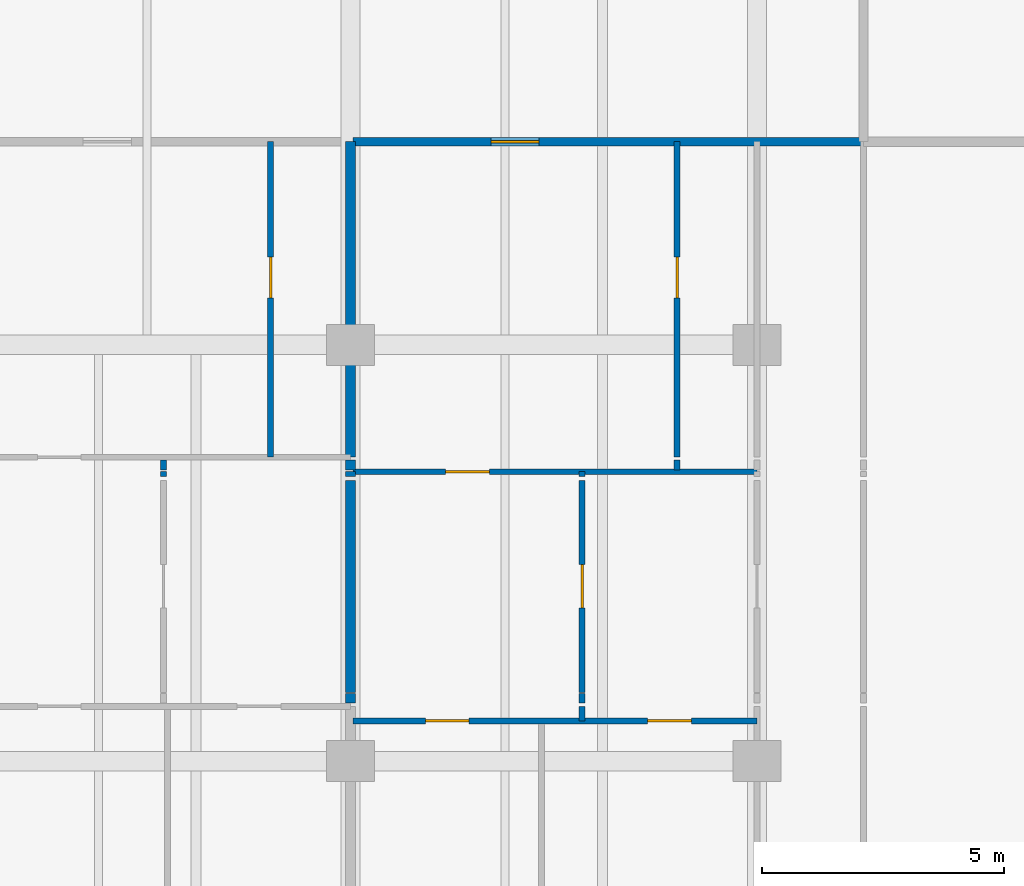
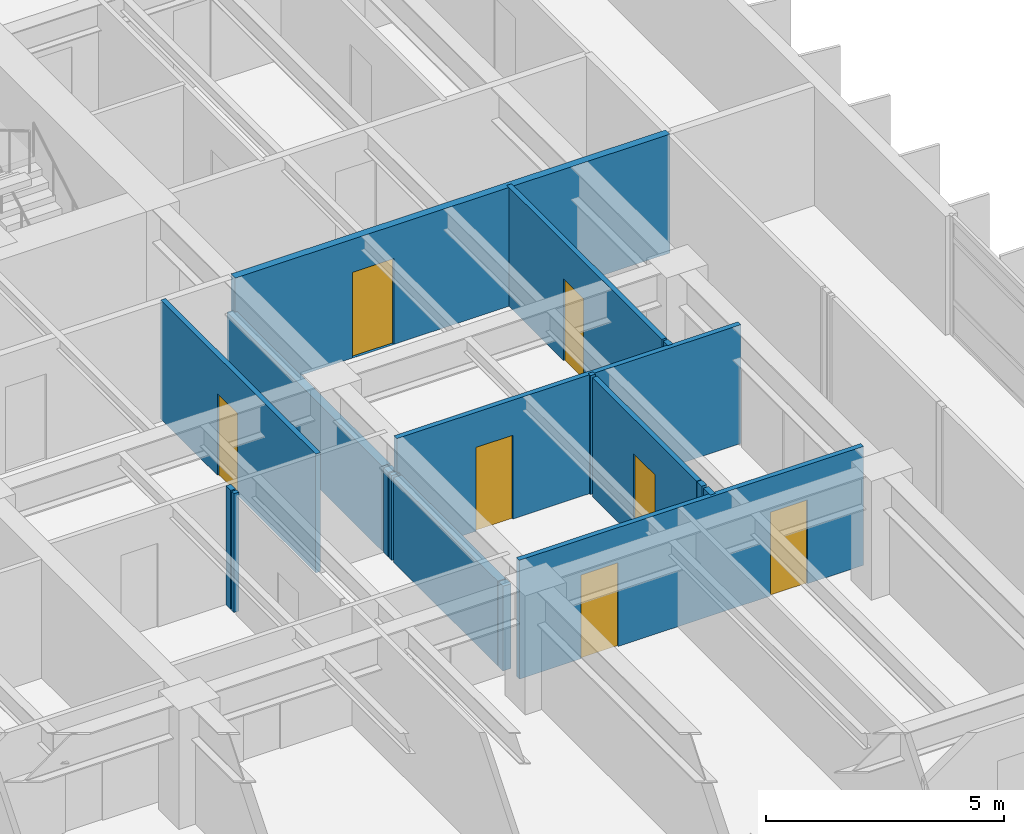
# One storey, part 11 of 19: 17 walls, 7 doors, 7 openings.
"""IFC4 building model written with IfcOpenShell, lengths in metres."""

import ifcopenshell
import ifcopenshell.guid

model = None  # the IFC model being written
_history = None  # IfcOwnerHistory: only IFC2X3 demands one
_inside = {}  # id of a spatial element -> (the spatial element, [elements in it])
_under = {}  # id of a project, library or spatial element -> (it, [spatial elements below it])
_declared = {}  # id of a project -> (the project, [libraries it declares])
_typed = {}  # id of a type object -> (the type object, [elements of that type])
_made_of = {}  # id of a material, layer set ... -> (it, [elements and type objects made of it])


def new_model(schema):
    """Start an empty IFC model of exactly this schema.

    Asked for "IFC4X3", IfcOpenShell would pick the latest addendum, in which some entities
    have other attributes; the version numbers below select the first issue.
    IFC2X3 requires an IfcOwnerHistory on every rooted entity: one is made here for all.
    """
    global model, _history
    if schema == "IFC4X3":
        model = ifcopenshell.file(schema_version=(4, 3, 0, 0))
    else:
        model = ifcopenshell.file(schema=schema)
    _inside.clear()
    _under.clear()
    _declared.clear()
    _typed.clear()
    _made_of.clear()
    _history = None
    if model.schema == "IFC2X3":
        org = make("IfcOrganization", Name="unknown")
        user = make(
            "IfcPersonAndOrganization",
            ThePerson=make("IfcPerson", FamilyName="unknown"),
            TheOrganization=org,
        )
        app = make(
            "IfcApplication",
            ApplicationDeveloper=org,
            Version="unknown",
            ApplicationFullName="unknown",
            ApplicationIdentifier="unknown",
        )
        _history = make(
            "IfcOwnerHistory",
            OwningUser=user,
            OwningApplication=app,
            ChangeAction="ADDED",
            CreationDate=0,
        )
    return model


def make(cls, **values):
    """One entity of the class cls with the attributes given. An attribute that is None is left unset."""
    return model.create_entity(
        cls, **{name: value for name, value in values.items() if value is not None}
    )


def rooted(cls, **values):
    """An entity with a GlobalId (a new one), such as an element, a storey or a relation."""
    return make(cls, GlobalId=ifcopenshell.guid.new(), OwnerHistory=_history, **values)


def si_unit(unit_type, name, prefix=None):
    """IfcSIUnit, for example si_unit("LENGTHUNIT", "METRE", prefix="MILLI")."""
    return make("IfcSIUnit", UnitType=unit_type, Prefix=prefix, Name=name)


def assignment(units):
    """IfcUnitAssignment: the units of a project."""
    return None if units is None else make("IfcUnitAssignment", Units=units)


def point(xyz):
    """IfcCartesianPoint."""
    return None if xyz is None else make("IfcCartesianPoint", Coordinates=xyz)


def direction(xyz):
    """IfcDirection."""
    return None if xyz is None else make("IfcDirection", DirectionRatios=xyz)


def frame(location, z_axis=None, x_axis=None):
    """IfcAxis2Placement3D, a coordinate frame: its origin and axes. An axis left out is left unset."""
    return make(
        "IfcAxis2Placement3D",
        Location=point(location),
        Axis=direction(z_axis),
        RefDirection=direction(x_axis),
    )


def frame_2d(location, x_axis=None):
    """IfcAxis2Placement2D, a coordinate frame in the plane: its origin and x axis."""
    return make(
        "IfcAxis2Placement2D", Location=point(location), RefDirection=direction(x_axis)
    )


def origin():
    """The frame at (0, 0, 0) with its axes left unset."""
    return frame((0.0, 0.0, 0.0))


def place(relative_to, where):
    """IfcLocalPlacement: puts the frame where relative to a parent placement (None: the world)."""
    return make(
        "IfcLocalPlacement", PlacementRelTo=relative_to, RelativePlacement=where
    )


def context(
    kind, dimensions, precision=None, world=None, true_north=None, identifier=None
):
    """IfcGeometricRepresentationContext, for example the 3D "Model" context."""
    return make(
        "IfcGeometricRepresentationContext",
        ContextIdentifier=identifier,
        ContextType=kind,
        CoordinateSpaceDimension=dimensions,
        Precision=precision,
        WorldCoordinateSystem=world,
        TrueNorth=true_north,
    )


def subcontext(parent, identifier, kind, view, scale=None):
    """IfcGeometricRepresentationSubContext, for example "Body" below "Model"."""
    return make(
        "IfcGeometricRepresentationSubContext",
        ContextIdentifier=identifier,
        ContextType=kind,
        ParentContext=parent,
        TargetScale=scale,
        TargetView=view,
    )


def project(units=None, contexts=None):
    """IfcProject with its units and contexts."""
    return rooted(
        "IfcProject",
        Name="project",
        RepresentationContexts=contexts,
        UnitsInContext=assignment(units),
    )


def spatial(cls, under=None, at=None, **own):
    """A site, building, storey or space (cls), placed at a placement, below another one or the project."""
    s = rooted(cls, ObjectPlacement=at, **own)
    if under is not None:
        _under.setdefault(under.id(), (under, []))[1].append(s)
    return s


def profile(cls, at=None, kind="AREA", **sizes):
    """A parametric profile (cls). Its sizes go by their IFC names, for example OverallWidth=200.0."""
    return make(cls, ProfileType=kind, Position=at, **sizes)


def rectangle(**sizes):
    """IfcRectangleProfileDef."""
    return profile("IfcRectangleProfileDef", **sizes)


def extrude(swept, where, along, depth):
    """IfcExtrudedAreaSolid: the profile swept, set in the frame where, extruded along a direction by depth."""
    return make(
        "IfcExtrudedAreaSolid",
        SweptArea=swept,
        Position=where,
        ExtrudedDirection=direction(along),
        Depth=depth,
    )


def shape(context_of_items, identifier, shape_type, items):
    """IfcShapeRepresentation: the items that make up one representation, for example the "Body"."""
    return make(
        "IfcShapeRepresentation",
        ContextOfItems=context_of_items,
        RepresentationIdentifier=identifier,
        RepresentationType=shape_type,
        Items=items,
    )


def material(Name=None, Category=None):
    """IfcMaterial."""
    return make("IfcMaterial", Name=Name, Category=Category)


def layer(
    of_material, thickness, ventilated=None, Name=None, Category=None, Priority=None
):
    """IfcMaterialLayer: one layer of a wall or slab, of a material (None: an air gap)."""
    return make(
        "IfcMaterialLayer",
        Material=of_material,
        LayerThickness=thickness,
        IsVentilated=ventilated,
        Name=Name,
        Category=Category,
        Priority=Priority,
    )


def layer_set(layers, Name=None):
    """IfcMaterialLayerSet."""
    return make("IfcMaterialLayerSet", MaterialLayers=layers, LayerSetName=Name)


def made_of(thing, what):
    """Note that an element or type object is made of a material, layer set ...; save() writes the relation."""
    if what is not None:
        _made_of.setdefault(what.id(), (what, []))[1].append(thing)
    return thing


def type_object(cls, material=None, **own):
    """A type object (cls), such as IfcWallType, which elements share."""
    return made_of(rooted(cls, **own), material)


def element(
    cls,
    number,
    at=None,
    inside=None,
    cuts=None,
    type_object=None,
    material=None,
    context=None,
    identifier="Body",
    shape_type=None,
    held_by="IfcProductDefinitionShape",
    body=None,
    shapes=None,
    **own,
):
    """One element of the class cls, such as IfcWall. Its Tag is "e" and its number.

    at: its placement. inside: the storey or other place that contains it. cuts: it is an
    opening in that element (IfcRelVoidsElement). A single representation is given by context,
    identifier, shape_type and body (its items); several are given by shapes. held_by: the class
    of the entity that holds the representations. save() writes the other relations.
    """
    e = rooted(cls, Tag="e%d" % number, ObjectPlacement=at, **own)
    if body is not None:
        shapes = [shape(context, identifier, shape_type, body)]
    if shapes is not None:
        e.Representation = make(held_by, Representations=shapes)
    if inside is not None:
        _inside.setdefault(inside.id(), (inside, []))[1].append(e)
    if cuts is not None:
        rooted(
            "IfcRelVoidsElement", RelatingBuildingElement=cuts, RelatedOpeningElement=e
        )
    if type_object is not None:
        _typed.setdefault(type_object.id(), (type_object, []))[1].append(e)
    return made_of(e, material)


def fill(opening, filler):
    """IfcRelFillsElement: the door or window that sits in an opening."""
    return rooted(
        "IfcRelFillsElement",
        RelatingOpeningElement=opening,
        RelatedBuildingElement=filler,
    )


def aggregate(whole, parts):
    """IfcRelAggregates: a whole, such as a stair, and the parts it consists of."""
    return rooted("IfcRelAggregates", RelatingObject=whole, RelatedObjects=parts)


def save(model, path):
    """Write the relations noted so far, then the file.

    IfcRelAggregates (storeys below a building ...), IfcRelContainedInSpatialStructure (elements
    in a storey), IfcRelDefinesByType, IfcRelAssociatesMaterial and IfcRelDeclares: one each for
    every whole, place, type object, material and project.
    """
    for whole, parts in _under.values():
        aggregate(whole, parts)
    for where, things in _inside.values():
        rooted(
            "IfcRelContainedInSpatialStructure",
            RelatedElements=things,
            RelatingStructure=where,
        )
    for kind, things in _typed.values():
        rooted("IfcRelDefinesByType", RelatedObjects=things, RelatingType=kind)
    for what, things in _made_of.values():
        rooted("IfcRelAssociatesMaterial", RelatedObjects=things, RelatingMaterial=what)
    for by, libraries in _declared.values():
        rooted("IfcRelDeclares", RelatingContext=by, RelatedDefinitions=libraries)
    model.write(path)


model = new_model("IFC4")

# Units and contexts
model_context = context("Model", 3, precision=1e-05, world=origin(), true_north=direction((0.0, 1.0)))
body_context = subcontext(model_context, "Body", "Model", "MODEL_VIEW")
ifc_project = project(units=[si_unit("LENGTHUNIT", "METRE"), si_unit("AREAUNIT", "SQUARE_METRE"), si_unit("VOLUMEUNIT", "CUBIC_METRE"), si_unit("PLANEANGLEUNIT", "RADIAN"), si_unit("MASSUNIT", "GRAM", prefix="KILO")], contexts=[model_context])

# Site, building, storey
site_placement = place(None, origin())
site = spatial("IfcSite", under=ifc_project, at=site_placement, CompositionType="ELEMENT")
building_placement = place(site_placement, origin())
building = spatial("IfcBuilding", under=site, at=building_placement, Name="Caelmar Bay Residences", CompositionType="ELEMENT")
storey_placement = place(building_placement, frame((0.0, 0.0, 115.800048828125)))
storey = spatial("IfcBuildingStorey", under=building, at=storey_placement, Name="L31", CompositionType="ELEMENT", Elevation=115.800048828125)

# Wall, opening, door
ifc_material_1 = material(Name="Double-stud acoustic fire-rated gypsum partition 180 mm")
ifc_layer_1 = layer(ifc_material_1, 0.179931640625)
ifc_layer_set_1 = layer_set([ifc_layer_1], Name="Double-stud acoustic fire-rated gypsum partition 180 mm")
wall_type_1 = type_object("IfcWallType", Name="W-COR-200", PredefinedType="PARTITIONING", material=ifc_layer_set_1)
wall_1_placement = place(storey_placement, frame((59.550048828125, 33.60009765625, 0.0), z_axis=(0.0, 0.0, 1.0), x_axis=(1.0, 0.0, 0.0)))
wall_1 = element("IfcWall", 1, at=wall_1_placement, inside=storey, type_object=wall_type_1, Name="L31 Partition Wall H142", PredefinedType="PARTITIONING", context=body_context, shape_type="SweptSolid", body=[
    extrude(rectangle(XDim=10.550048828125, YDim=0.179931640625, at=frame_2d((5.27490234375, 0.0))), origin(), (0.0, 0.0, 1.0), 3.050048828125),
])
opening_1_placement = place(wall_1_placement, frame((2.85009765625, 0.0, 0.0)))
opening_1 = element("IfcOpeningElement", 2, at=opening_1_placement, cuts=wall_1, Name="Opening D-L31-154", PredefinedType="OPENING", context=body_context, shape_type="SweptSolid", body=[
    extrude(rectangle(XDim=1.0, YDim=2.199951171875, at=frame_2d((0.5, 1.10009765625))), frame((0.0, 0.099853515625, 0.0), z_axis=(0.0, -1.0, 0.0), x_axis=(1.0, 0.0, 0.0)), (0.0, 0.0, 1.0), 0.199951171875),
])
ifc_material_2 = material(Name="Fire-rated steel and walnut architectural door assembly", Category="steel")
ifc_layer_2 = layer(ifc_material_2, 0.050048828125)
ifc_layer_set_2 = layer_set([ifc_layer_2], Name="Fire-rated steel and walnut architectural door assembly")
door_type_1 = type_object("IfcDoorType", Name="D-UNIT-1000", OperationType="NOTDEFINED", PredefinedType="DOOR", material=ifc_layer_set_2)
door_1_placement = place(opening_1_placement, origin())
door_1 = element("IfcDoor", 3, at=door_1_placement, inside=storey, type_object=door_type_1, Name="L31 Residence 05 Apartment Hall Door", OperationType="SINGLE_SWING_LEFT", OverallHeight=2.199951171875, OverallWidth=1.0, PredefinedType="DOOR", context=body_context, shape_type="SweptSolid", body=[
    extrude(rectangle(XDim=1.0, YDim=2.199951171875, at=frame_2d((0.5, 1.10009765625))), frame((0.0, 0.02490234375, 0.0), z_axis=(0.0, -1.0, 0.0), x_axis=(1.0, 0.0, 0.0)), (0.0, 0.0, 1.0), 0.050048828125),
])
fill(opening_1, door_1)

# Walls
ifc_material_3 = material(Name="Acoustic metal-stud gypsum partition 120 mm")
ifc_layer_3 = layer(ifc_material_3, 0.1201171875)
ifc_layer_set_3 = layer_set([ifc_layer_3], Name="Acoustic metal-stud gypsum partition 120 mm")
wall_type_2 = type_object("IfcWallType", Name="W-PRT-120", PredefinedType="PARTITIONING", material=ifc_layer_set_3)
wall_2_placement = place(storey_placement, frame((55.635986328125, 26.679931640625, 0.0), z_axis=(0.0, 0.0, 1.0), x_axis=(0.0, 1.0, 0.0)))
element("IfcWall", 4, at=wall_2_placement, inside=storey, type_object=wall_type_2, Name="L31 Partition Wall V081", PredefinedType="PARTITIONING", context=body_context, shape_type="SweptSolid", body=[
    extrude(rectangle(XDim=0.10009765625, YDim=0.1201171875, at=frame_2d((0.050048828125, 0.0))), origin(), (0.0, 0.0, 1.0), 3.050048828125),
])
wall_3_placement = place(storey_placement, frame((55.635986328125, 26.820068359375, 0.0), z_axis=(0.0, 0.0, 1.0), x_axis=(0.0, 1.0, 0.0)))
element("IfcWall", 5, at=wall_3_placement, inside=storey, type_object=wall_type_2, Name="L31 Partition Wall V082", PredefinedType="PARTITIONING", context=body_context, shape_type="SweptSolid", body=[
    extrude(rectangle(XDim=0.199951171875, YDim=0.1201171875, at=frame_2d((0.10009765625, 0.0))), origin(), (0.0, 0.0, 1.0), 3.050048828125),
])

# Wall, opening, door
wall_4_placement = place(storey_placement, frame((57.85009765625, 27.080078125, 0.0), z_axis=(0.0, 0.0, 1.0), x_axis=(0.0, 1.0, 0.0)))
wall_4 = element("IfcWall", 6, at=wall_4_placement, inside=storey, type_object=wall_type_2, Name="L31 Partition Wall V086", PredefinedType="PARTITIONING", context=body_context, shape_type="SweptSolid", body=[
    extrude(rectangle(XDim=6.52001953125, YDim=0.1201171875, at=frame_2d((3.260009765625, 0.0))), origin(), (0.0, 0.0, 1.0), 3.050048828125),
])
opening_2_placement = place(wall_4_placement, frame((3.284912109375, 0.0, 0.0)))
opening_2 = element("IfcOpeningElement", 7, at=opening_2_placement, cuts=wall_4, Name="Opening D-L31-148", PredefinedType="OPENING", context=body_context, shape_type="SweptSolid", body=[
    extrude(rectangle(XDim=0.85009765625, YDim=2.10009765625, at=frame_2d((0.425048828125, 1.050048828125))), frame((0.0, 0.070068359375, 0.0), z_axis=(0.0, -1.0, 0.0), x_axis=(1.0, 0.0, 0.0)), (0.0, 0.0, 1.0), 0.14013671875),
])
ifc_material_4 = material(Name="Solid walnut timber interior door leaf and frame", Category="wood")
ifc_layer_4 = layer(ifc_material_4, 0.050048828125)
ifc_layer_set_4 = layer_set([ifc_layer_4], Name="Solid walnut timber interior door leaf and frame")
door_type_2 = type_object("IfcDoorType", Name="D-BATH-850", OperationType="NOTDEFINED", PredefinedType="DOOR", material=ifc_layer_set_4)
door_2_placement = place(opening_2_placement, origin())
door_2 = element("IfcDoor", 8, at=door_2_placement, inside=storey, type_object=door_type_2, Name="L31 Residence 04 Bathroom Door", OperationType="SINGLE_SWING_LEFT", OverallHeight=2.10009765625, OverallWidth=0.85009765625, PredefinedType="DOOR", context=body_context, shape_type="SweptSolid", body=[
    extrude(rectangle(XDim=0.85009765625, YDim=2.10009765625, at=frame_2d((0.425048828125, 1.050048828125))), frame((0.0, 0.02490234375, 0.0), z_axis=(0.0, -1.0, 0.0), x_axis=(1.0, 0.0, 0.0)), (0.0, 0.0, 1.0), 0.050048828125),
])
fill(opening_2, door_2)

# Walls
wall_5_placement = place(storey_placement, frame((64.285888671875, 21.6298828125, 0.0), z_axis=(0.0, 0.0, 1.0), x_axis=(0.0, 1.0, 0.0)))
element("IfcWall", 9, at=wall_5_placement, inside=storey, type_object=wall_type_2, Name="L31 Partition Wall V097", PredefinedType="PARTITIONING", context=body_context, shape_type="SweptSolid", body=[
    extrude(rectangle(XDim=0.300048828125, YDim=0.1201171875, at=frame_2d((0.14990234375, 0.0))), origin(), (0.0, 0.0, 1.0), 3.050048828125),
])
wall_6_placement = place(storey_placement, frame((64.285888671875, 22.0, 0.0), z_axis=(0.0, 0.0, 1.0), x_axis=(0.0, 1.0, 0.0)))
element("IfcWall", 10, at=wall_6_placement, inside=storey, type_object=wall_type_2, Name="L31 Partition Wall V098", PredefinedType="PARTITIONING", context=body_context, shape_type="SweptSolid", body=[
    extrude(rectangle(XDim=0.199951171875, YDim=0.1201171875, at=frame_2d((0.10009765625, 0.0))), origin(), (0.0, 0.0, 1.0), 3.050048828125),
])

# Wall, opening, door
wall_7_placement = place(storey_placement, frame((64.285888671875, 22.219970703125, 0.0), z_axis=(0.0, 0.0, 1.0), x_axis=(0.0, 1.0, 0.0)))
wall_7 = element("IfcWall", 11, at=wall_7_placement, inside=storey, type_object=wall_type_2, Name="L31 Partition Wall V099", PredefinedType="PARTITIONING", context=body_context, shape_type="SweptSolid", body=[
    extrude(rectangle(XDim=4.380126953125, YDim=0.1201171875, at=frame_2d((2.18994140625, 0.0))), origin(), (0.0, 0.0, 1.0), 3.050048828125),
])
opening_3_placement = place(wall_7_placement, frame((1.739990234375, 0.0, 0.0)))
opening_3 = element("IfcOpeningElement", 12, at=opening_3_placement, cuts=wall_7, Name="Opening D-L31-157", PredefinedType="OPENING", context=body_context, shape_type="SweptSolid", body=[
    extrude(rectangle(XDim=0.89990234375, YDim=2.14990234375, at=frame_2d((0.449951171875, 1.074951171875))), frame((0.0, 0.070068359375, 0.0), z_axis=(0.0, -1.0, 0.0), x_axis=(1.0, 0.0, 0.0)), (0.0, 0.0, 1.0), 0.14013671875),
])
ifc_layer_5 = layer(ifc_material_4, 0.050048828125)
ifc_layer_set_5 = layer_set([ifc_layer_5], Name="Solid walnut timber interior door leaf and frame")
door_type_3 = type_object("IfcDoorType", Name="D-ROOM-900", OperationType="NOTDEFINED", PredefinedType="DOOR", material=ifc_layer_set_5)
door_3_placement = place(opening_3_placement, origin())
door_3 = element("IfcDoor", 13, at=door_3_placement, inside=storey, type_object=door_type_3, Name="L31 Residence 05 Private Meeting Room Door", OperationType="SINGLE_SWING_RIGHT", OverallHeight=2.14990234375, OverallWidth=0.89990234375, PredefinedType="DOOR", context=body_context, shape_type="SweptSolid", body=[
    extrude(rectangle(XDim=0.89990234375, YDim=2.14990234375, at=frame_2d((0.449951171875, 1.074951171875))), frame((0.0, 0.02490234375, 0.0), z_axis=(0.0, -1.0, 0.0), x_axis=(1.0, 0.0, 0.0)), (0.0, 0.0, 1.0), 0.050048828125),
])
fill(opening_3, door_3)

# Walls
wall_8_placement = place(storey_placement, frame((64.285888671875, 26.679931640625, 0.0), z_axis=(0.0, 0.0, 1.0), x_axis=(0.0, 1.0, 0.0)))
element("IfcWall", 14, at=wall_8_placement, inside=storey, type_object=wall_type_2, Name="L31 Partition Wall V100", PredefinedType="PARTITIONING", context=body_context, shape_type="SweptSolid", body=[
    extrude(rectangle(XDim=0.10009765625, YDim=0.1201171875, at=frame_2d((0.050048828125, 0.0))), origin(), (0.0, 0.0, 1.0), 3.050048828125),
])
wall_9_placement = place(storey_placement, frame((66.25, 26.820068359375, 0.0), z_axis=(0.0, 0.0, 1.0), x_axis=(0.0, 1.0, 0.0)))
element("IfcWall", 15, at=wall_9_placement, inside=storey, type_object=wall_type_2, Name="L31 Partition Wall V101", PredefinedType="PARTITIONING", context=body_context, shape_type="SweptSolid", body=[
    extrude(rectangle(XDim=0.199951171875, YDim=0.1201171875, at=frame_2d((0.10009765625, 0.0))), origin(), (0.0, 0.0, 1.0), 3.050048828125),
])

# Wall, opening, door
wall_10_placement = place(storey_placement, frame((66.25, 27.080078125, 0.0), z_axis=(0.0, 0.0, 1.0), x_axis=(0.0, 1.0, 0.0)))
wall_10 = element("IfcWall", 16, at=wall_10_placement, inside=storey, type_object=wall_type_2, Name="L31 Partition Wall V102", PredefinedType="PARTITIONING", context=body_context, shape_type="SweptSolid", body=[
    extrude(rectangle(XDim=6.52001953125, YDim=0.1201171875, at=frame_2d((3.260009765625, 0.0))), origin(), (0.0, 0.0, 1.0), 3.050048828125),
])
opening_4_placement = place(wall_10_placement, frame((3.284912109375, 0.0, 0.0)))
opening_4 = element("IfcOpeningElement", 17, at=opening_4_placement, cuts=wall_10, Name="Opening D-L31-155", PredefinedType="OPENING", context=body_context, shape_type="SweptSolid", body=[
    extrude(rectangle(XDim=0.85009765625, YDim=2.10009765625, at=frame_2d((0.425048828125, 1.050048828125))), frame((0.0, 0.070068359375, 0.0), z_axis=(0.0, -1.0, 0.0), x_axis=(1.0, 0.0, 0.0)), (0.0, 0.0, 1.0), 0.14013671875),
])
door_4_placement = place(opening_4_placement, origin())
door_4 = element("IfcDoor", 18, at=door_4_placement, inside=storey, type_object=door_type_2, Name="L31 Residence 05 Bathroom Door", OperationType="SINGLE_SWING_RIGHT", OverallHeight=2.10009765625, OverallWidth=0.85009765625, PredefinedType="DOOR", context=body_context, shape_type="SweptSolid", body=[
    extrude(rectangle(XDim=0.85009765625, YDim=2.10009765625, at=frame_2d((0.425048828125, 1.050048828125))), frame((0.0, 0.02490234375, 0.0), z_axis=(0.0, -1.0, 0.0), x_axis=(1.0, 0.0, 0.0)), (0.0, 0.0, 1.0), 0.050048828125),
])
fill(opening_4, door_4)

# Wall, openings, doors
wall_11_placement = place(storey_placement, frame((59.550048828125, 21.6298828125, 0.0), z_axis=(0.0, 0.0, 1.0), x_axis=(1.0, 0.0, 0.0)))
wall_11 = element("IfcWall", 19, at=wall_11_placement, inside=storey, type_object=wall_type_2, Name="L31 Partition Wall H126", PredefinedType="PARTITIONING", context=body_context, shape_type="SweptSolid", body=[
    extrude(rectangle(XDim=8.349853515625, YDim=0.1201171875, at=frame_2d((4.1748046875, 0.0))), origin(), (0.0, 0.0, 1.0), 3.050048828125),
])
opening_5_placement = place(wall_11_placement, frame((1.4990234375, 0.0, 0.0)))
opening_5 = element("IfcOpeningElement", 20, at=opening_5_placement, cuts=wall_11, Name="Opening D-L31-158", PredefinedType="OPENING", context=body_context, shape_type="SweptSolid", body=[
    extrude(rectangle(XDim=0.89990234375, YDim=2.14990234375, at=frame_2d((0.449951171875, 1.074951171875))), frame((0.0, 0.070068359375, 0.0), z_axis=(0.0, -1.0, 0.0), x_axis=(1.0, 0.0, 0.0)), (0.0, 0.0, 1.0), 0.14013671875),
])
opening_6_placement = place(wall_11_placement, frame((6.093017578125, 0.0, 0.0)))
opening_6 = element("IfcOpeningElement", 21, at=opening_6_placement, cuts=wall_11, Name="Opening D-L31-159", PredefinedType="OPENING", context=body_context, shape_type="SweptSolid", body=[
    extrude(rectangle(XDim=0.89990234375, YDim=2.14990234375, at=frame_2d((0.449951171875, 1.074951171875))), frame((0.0, 0.070068359375, 0.0), z_axis=(0.0, -1.0, 0.0), x_axis=(1.0, 0.0, 0.0)), (0.0, 0.0, 1.0), 0.14013671875),
])
door_5_placement = place(opening_5_placement, origin())
door_5 = element("IfcDoor", 22, at=door_5_placement, inside=storey, type_object=door_type_3, Name="L31 Residence 05 Living Room Door", OperationType="SINGLE_SWING_LEFT", OverallHeight=2.14990234375, OverallWidth=0.89990234375, PredefinedType="DOOR", context=body_context, shape_type="SweptSolid", body=[
    extrude(rectangle(XDim=0.89990234375, YDim=2.14990234375, at=frame_2d((0.449951171875, 1.074951171875))), frame((0.0, 0.02490234375, 0.0), z_axis=(0.0, -1.0, 0.0), x_axis=(1.0, 0.0, 0.0)), (0.0, 0.0, 1.0), 0.050048828125),
])
fill(opening_5, door_5)
door_6_placement = place(opening_6_placement, origin())
door_6 = element("IfcDoor", 23, at=door_6_placement, inside=storey, type_object=door_type_3, Name="L31 Residence 05 Penthouse Sitting Room Door", OperationType="SINGLE_SWING_RIGHT", OverallHeight=2.14990234375, OverallWidth=0.89990234375, PredefinedType="DOOR", context=body_context, shape_type="SweptSolid", body=[
    extrude(rectangle(XDim=0.89990234375, YDim=2.14990234375, at=frame_2d((0.449951171875, 1.074951171875))), frame((0.0, 0.02490234375, 0.0), z_axis=(0.0, -1.0, 0.0), x_axis=(1.0, 0.0, 0.0)), (0.0, 0.0, 1.0), 0.050048828125),
])
fill(opening_6, door_6)

# Wall, opening, door
wall_12_placement = place(storey_placement, frame((59.550048828125, 26.780029296875, 0.0), z_axis=(0.0, 0.0, 1.0), x_axis=(1.0, 0.0, 0.0)))
wall_12 = element("IfcWall", 24, at=wall_12_placement, inside=storey, type_object=wall_type_2, Name="L31 Partition Wall H134", PredefinedType="PARTITIONING", context=body_context, shape_type="SweptSolid", body=[
    extrude(rectangle(XDim=8.349853515625, YDim=0.1201171875, at=frame_2d((4.1748046875, 0.0))), origin(), (0.0, 0.0, 1.0), 3.050048828125),
])
opening_7_placement = place(wall_12_placement, frame((1.91796875, 0.0, 0.0)))
opening_7 = element("IfcOpeningElement", 25, at=opening_7_placement, cuts=wall_12, Name="Opening D-L31-156", PredefinedType="OPENING", context=body_context, shape_type="SweptSolid", body=[
    extrude(rectangle(XDim=0.89990234375, YDim=2.14990234375, at=frame_2d((0.449951171875, 1.074951171875))), frame((0.0, 0.070068359375, 0.0), z_axis=(0.0, -1.0, 0.0), x_axis=(1.0, 0.0, 0.0)), (0.0, 0.0, 1.0), 0.14013671875),
])
door_7_placement = place(opening_7_placement, origin())
door_7 = element("IfcDoor", 26, at=door_7_placement, inside=storey, type_object=door_type_3, Name="L31 Residence 05 Kitchen Door", OperationType="SINGLE_SWING_LEFT", OverallHeight=2.14990234375, OverallWidth=0.89990234375, PredefinedType="DOOR", context=body_context, shape_type="SweptSolid", body=[
    extrude(rectangle(XDim=0.89990234375, YDim=2.14990234375, at=frame_2d((0.449951171875, 1.074951171875))), frame((0.0, 0.02490234375, 0.0), z_axis=(0.0, -1.0, 0.0), x_axis=(1.0, 0.0, 0.0)), (0.0, 0.0, 1.0), 0.050048828125),
])
fill(opening_7, door_7)

# Walls
ifc_material_5 = material(Name="Acoustic twin-stud fire-rated inter-tenancy partition 200 mm")
ifc_layer_6 = layer(ifc_material_5, 0.199951171875)
ifc_layer_set_6 = layer_set([ifc_layer_6], Name="Acoustic twin-stud fire-rated inter-tenancy partition 200 mm")
wall_type_3 = type_object("IfcWallType", Name="W-PTY-200", PredefinedType="PARTITIONING", material=ifc_layer_set_6)
wall_13_placement = place(storey_placement, frame((59.5, 22.0, 0.0), z_axis=(0.0, 0.0, 1.0), x_axis=(0.0, 1.0, 0.0)))
element("IfcWall", 27, at=wall_13_placement, inside=storey, type_object=wall_type_3, Name="L31 Partition Wall V089", PredefinedType="PARTITIONING", context=body_context, shape_type="SweptSolid", body=[
    extrude(rectangle(XDim=0.199951171875, YDim=0.199951171875, at=frame_2d((0.10009765625, 0.0))), origin(), (0.0, 0.0, 1.0), 2.174072265625),
])
wall_14_placement = place(storey_placement, frame((59.5, 22.219970703125, 0.0), z_axis=(0.0, 0.0, 1.0), x_axis=(0.0, 1.0, 0.0)))
element("IfcWall", 28, at=wall_14_placement, inside=storey, type_object=wall_type_3, Name="L31 Partition Wall V090", PredefinedType="PARTITIONING", context=body_context, shape_type="SweptSolid", body=[
    extrude(rectangle(XDim=4.380126953125, YDim=0.199951171875, at=frame_2d((2.18994140625, 0.0))), origin(), (0.0, 0.0, 1.0), 2.174072265625),
])
wall_15_placement = place(storey_placement, frame((59.5, 26.679931640625, 0.0), z_axis=(0.0, 0.0, 1.0), x_axis=(0.0, 1.0, 0.0)))
element("IfcWall", 29, at=wall_15_placement, inside=storey, type_object=wall_type_3, Name="L31 Partition Wall V091", PredefinedType="PARTITIONING", context=body_context, shape_type="SweptSolid", body=[
    extrude(rectangle(XDim=0.10009765625, YDim=0.199951171875, at=frame_2d((0.050048828125, 0.0))), origin(), (0.0, 0.0, 1.0), 2.174072265625),
])
wall_16_placement = place(storey_placement, frame((59.5, 26.820068359375, 0.0), z_axis=(0.0, 0.0, 1.0), x_axis=(0.0, 1.0, 0.0)))
element("IfcWall", 30, at=wall_16_placement, inside=storey, type_object=wall_type_3, Name="L31 Partition Wall V092", PredefinedType="PARTITIONING", context=body_context, shape_type="SweptSolid", body=[
    extrude(rectangle(XDim=0.199951171875, YDim=0.199951171875, at=frame_2d((0.10009765625, 0.0))), origin(), (0.0, 0.0, 1.0), 2.174072265625),
])
wall_17_placement = place(storey_placement, frame((59.5, 27.080078125, 0.0), z_axis=(0.0, 0.0, 1.0), x_axis=(0.0, 1.0, 0.0)))
element("IfcWall", 31, at=wall_17_placement, inside=storey, type_object=wall_type_3, Name="L31 Partition Wall V093", PredefinedType="PARTITIONING", context=body_context, shape_type="SweptSolid", body=[
    extrude(rectangle(XDim=6.52001953125, YDim=0.199951171875, at=frame_2d((3.260009765625, 0.0))), origin(), (0.0, 0.0, 1.0), 2.174072265625),
])

save(model, "model.ifc")
